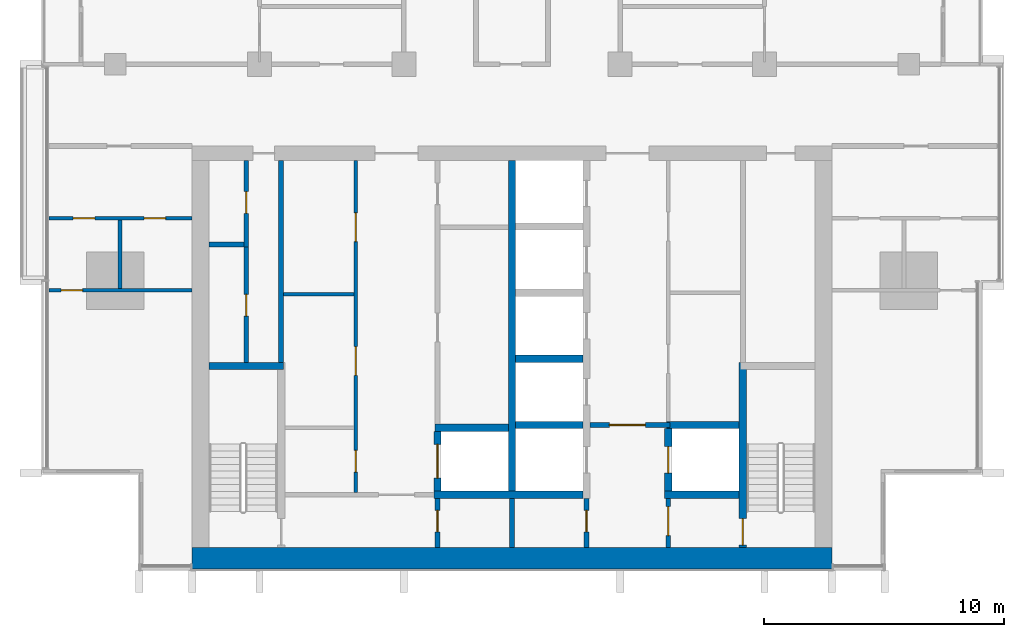
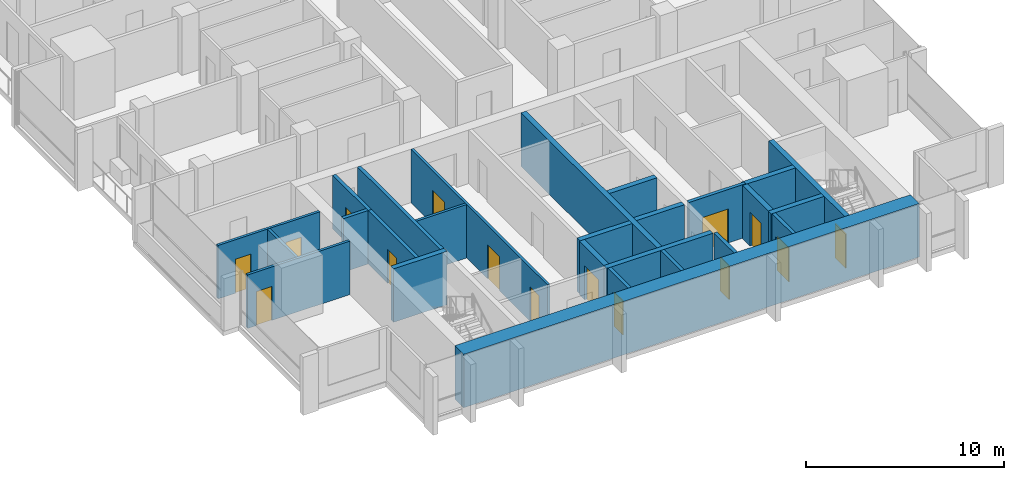
# One storey, part 7 of 17: 26 walls, 15 doors, 15 openings.
"""IFC4 building model written with IfcOpenShell, lengths in metres."""

from ifc_helpers import new_model, si_unit, direction, frame, frame_2d, origin, place, context, subcontext, project, spatial, rectangle, extrude, material, layer, layer_set, type_object, element, fill, save


model = new_model("IFC4")

# Units and contexts
model_context = context("Model", 3, precision=1e-05, world=origin(), true_north=direction((0.0, 1.0)))
body_context = subcontext(model_context, "Body", "Model", "MODEL_VIEW")
ifc_project = project(units=[si_unit("LENGTHUNIT", "METRE"), si_unit("AREAUNIT", "SQUARE_METRE"), si_unit("VOLUMEUNIT", "CUBIC_METRE"), si_unit("PLANEANGLEUNIT", "RADIAN"), si_unit("MASSUNIT", "GRAM", prefix="KILO")], contexts=[model_context])

# Site, building, storey
site_placement = place(None, origin())
site = spatial("IfcSite", under=ifc_project, at=site_placement, CompositionType="ELEMENT")
building_placement = place(site_placement, origin())
building = spatial("IfcBuilding", under=site, at=building_placement, Name="Finial Court Residences", CompositionType="ELEMENT")
storey_placement = place(building_placement, frame((0.0, 0.0, 167.300048828125)))
storey = spatial("IfcBuildingStorey", under=building, at=storey_placement, Name="L41", CompositionType="ELEMENT", Elevation=167.300048828125)

# Wall
ifc_material_1 = material(Name="Fire-rated gypsum board partition")
ifc_layer_1 = layer(ifc_material_1, 0.14990234375)
ifc_layer_set_1 = layer_set([ifc_layer_1], Name="Core room partition 150 EI 60")
wall_type_1 = type_object("IfcWallType", Name="Core room partition 150 EI 60", PredefinedType="PARTITIONING", material=ifc_layer_set_1)
wall_1_placement = place(storey_placement, frame((-9.5, -14.06005859375, 0.0), z_axis=(0.0, 0.0, 1.0), x_axis=(1.0, 0.0, 0.0)))
element("IfcWall", 1, at=wall_1_placement, inside=storey, type_object=wall_type_1, Name="Core partition L41-12", PredefinedType="PARTITIONING", context=body_context, shape_type="SweptSolid", body=[
    extrude(rectangle(XDim=2.925048828125, YDim=0.14990234375, at=frame_2d((1.46240234375, 0.0))), origin(), (0.0, 0.0, 1.0), 3.300048828125),
])

# Wall, openings, doors
wall_2_placement = place(storey_placement, frame((-6.5, -22.300048828125, 0.0), z_axis=(0.0, 0.0, 1.0), x_axis=(0.0, 1.0, 0.0)))
wall_2 = element("IfcWall", 2, at=wall_2_placement, inside=storey, type_object=wall_type_1, Name="Core partition L41-22", PredefinedType="PARTITIONING", context=body_context, shape_type="SweptSolid", body=[
    extrude(rectangle(XDim=13.800048828125, YDim=0.14990234375, at=frame_2d((6.89990234375, 0.0))), origin(), (0.0, 0.0, 1.0), 3.300048828125),
])
opening_1_placement = place(wall_2_placement, frame((0.840087890625, 0.0, 0.0)))
opening_1 = element("IfcOpeningElement", 3, at=opening_1_placement, cuts=wall_2, Name="Opening L41-C14", PredefinedType="OPENING", context=body_context, shape_type="SweptSolid", body=[
    extrude(rectangle(XDim=0.89990234375, YDim=2.10009765625, at=frame_2d((0.449951171875, 1.050048828125))), frame((0.0, 0.0849609375, 0.0), z_axis=(0.0, -1.0, 0.0), x_axis=(1.0, 0.0, 0.0)), (0.0, 0.0, 1.0), 0.169921875),
])
opening_2_placement = place(wall_2_placement, frame((4.860107421875, 0.0, 0.0)))
opening_2 = element("IfcOpeningElement", 4, at=opening_2_placement, cuts=wall_2, Name="Opening L41-C15", PredefinedType="OPENING", context=body_context, shape_type="SweptSolid", body=[
    extrude(rectangle(XDim=1.199951171875, YDim=2.10009765625, at=frame_2d((0.60009765625, 1.050048828125))), frame((0.0, 0.0849609375, 0.0), z_axis=(0.0, -1.0, 0.0), x_axis=(1.0, 0.0, 0.0)), (0.0, 0.0, 1.0), 0.169921875),
])
opening_3_placement = place(wall_2_placement, frame((10.419921875, 0.0, 0.0)))
opening_3 = element("IfcOpeningElement", 5, at=opening_3_placement, cuts=wall_2, Name="Opening L41-C16", PredefinedType="OPENING", context=body_context, shape_type="SweptSolid", body=[
    extrude(rectangle(XDim=1.199951171875, YDim=2.10009765625, at=frame_2d((0.60009765625, 1.050048828125))), frame((0.0, 0.0849609375, 0.0), z_axis=(0.0, -1.0, 0.0), x_axis=(1.0, 0.0, 0.0)), (0.0, 0.0, 1.0), 0.169921875),
])
ifc_material_2 = material(Name="Steel fire door", Category="steel")
door_type_1 = type_object("IfcDoorType", Name="Core room door 1200 x 2100 EI 60", OperationType="NOTDEFINED", PredefinedType="DOOR", material=ifc_material_2)
door_1_placement = place(opening_2_placement, origin())
door_1 = element("IfcDoor", 6, at=door_1_placement, inside=storey, type_object=door_type_1, Name="Core room door L41-C15", OperationType="SINGLE_SWING_RIGHT", OverallHeight=2.10009765625, OverallWidth=1.199951171875, PredefinedType="DOOR", context=body_context, shape_type="SweptSolid", body=[
    extrude(rectangle(XDim=1.199951171875, YDim=2.10009765625, at=frame_2d((0.60009765625, 1.050048828125))), frame((0.0, 0.02490234375, 0.0), z_axis=(0.0, -1.0, 0.0), x_axis=(1.0, 0.0, 0.0)), (0.0, 0.0, 1.0), 0.050048828125),
])
fill(opening_2, door_1)
door_2_placement = place(opening_3_placement, origin())
door_2 = element("IfcDoor", 7, at=door_2_placement, inside=storey, type_object=door_type_1, Name="Core room door L41-C16", OperationType="SINGLE_SWING_RIGHT", OverallHeight=2.10009765625, OverallWidth=1.199951171875, PredefinedType="DOOR", context=body_context, shape_type="SweptSolid", body=[
    extrude(rectangle(XDim=1.199951171875, YDim=2.10009765625, at=frame_2d((0.60009765625, 1.050048828125))), frame((0.0, 0.02490234375, 0.0), z_axis=(0.0, -1.0, 0.0), x_axis=(1.0, 0.0, 0.0)), (0.0, 0.0, 1.0), 0.050048828125),
])
fill(opening_3, door_2)
door_type_2 = type_object("IfcDoorType", Name="Core room door 900 x 2100 EI 60", OperationType="NOTDEFINED", PredefinedType="DOOR", material=ifc_material_2)
door_3_placement = place(opening_1_placement, origin())
door_3 = element("IfcDoor", 8, at=door_3_placement, inside=storey, type_object=door_type_2, Name="Core room door L41-C14", OperationType="SINGLE_SWING_LEFT", OverallHeight=2.10009765625, OverallWidth=0.89990234375, PredefinedType="DOOR", context=body_context, shape_type="SweptSolid", body=[
    extrude(rectangle(XDim=0.89990234375, YDim=2.10009765625, at=frame_2d((0.449951171875, 1.050048828125))), frame((0.0, 0.02490234375, 0.0), z_axis=(0.0, -1.0, 0.0), x_axis=(1.0, 0.0, 0.0)), (0.0, 0.0, 1.0), 0.050048828125),
])
fill(opening_1, door_3)

# Wall
ifc_material_3 = material(Name="Concrete C70/85", Category="concrete")
ifc_layer_2 = layer(ifc_material_3, 0.89990234375)
ifc_layer_set_2 = layer_set([ifc_layer_2], Name="Core south facade wall 900 Concrete C70/85")
wall_type_2 = type_object("IfcWallType", Name="Core south facade wall 900 Concrete C70/85", PredefinedType="SHEAR", material=ifc_layer_set_2)
wall_3_placement = place(storey_placement, frame((-13.300048828125, -25.050048828125, 0.0), z_axis=(0.0, 0.0, 1.0), x_axis=(1.0, 0.0, 0.0)))
element("IfcWall", 9, at=wall_3_placement, inside=storey, type_object=wall_type_2, Name="Core outer wall L41-01", PredefinedType="SHEAR", context=body_context, shape_type="SweptSolid", body=[
    extrude(rectangle(XDim=26.60009765625, YDim=0.89990234375, at=frame_2d((13.300048828125, 0.0))), origin(), (0.0, 0.0, 1.0), 3.300048828125),
])

# Wall, opening, door
ifc_layer_3 = layer(ifc_material_1, 0.199951171875)
ifc_layer_set_3 = layer_set([ifc_layer_3], Name="Firefighting lobby wall 200 EI 120")
wall_type_3 = type_object("IfcWallType", Name="Firefighting lobby wall 200 EI 120", PredefinedType="PARTITIONING", material=ifc_layer_set_3)
wall_4_placement = place(storey_placement, frame((6.574951171875, -19.5, 0.0), z_axis=(0.0, 0.0, 1.0), x_axis=(-1.0, 0.0, 0.0)))
wall_4 = element("IfcWall", 10, at=wall_4_placement, inside=storey, type_object=wall_type_3, Name="Core partition L41-07", PredefinedType="PARTITIONING", context=body_context, shape_type="SweptSolid", body=[
    extrude(rectangle(XDim=3.324951171875, YDim=0.199951171875, at=frame_2d((1.66259765625, 0.0))), origin(), (0.0, 0.0, 1.0), 3.300048828125),
])
opening_4_placement = place(wall_4_placement, frame((1.02490234375, 0.0, 0.0)))
opening_4 = element("IfcOpeningElement", 11, at=opening_4_placement, cuts=wall_4, Name="Opening L41-C02", PredefinedType="OPENING", context=body_context, shape_type="SweptSolid", body=[
    extrude(rectangle(XDim=1.5, YDim=2.10009765625, at=frame_2d((0.75, 1.050048828125))), frame((0.0, 0.10986328125, 0.0), z_axis=(0.0, -1.0, 0.0), x_axis=(1.0, 0.0, 0.0)), (0.0, 0.0, 1.0), 0.219970703125),
])
door_type_3 = type_object("IfcDoorType", Name="Firefighting lobby door 1500 x 2100 EI 90", OperationType="DOUBLE_DOOR_SINGLE_SWING", PredefinedType="DOOR", material=ifc_material_2)
door_4_placement = place(opening_4_placement, origin())
door_4 = element("IfcDoor", 12, at=door_4_placement, inside=storey, type_object=door_type_3, Name="Firefighting lobby door L41-C02", OperationType="DOUBLE_DOOR_SINGLE_SWING", OverallHeight=2.10009765625, OverallWidth=1.5, PredefinedType="DOOR", context=body_context, shape_type="SweptSolid", body=[
    extrude(rectangle(XDim=1.5, YDim=2.10009765625, at=frame_2d((0.75, 1.050048828125))), frame((0.0, 0.02490234375, 0.0), z_axis=(0.0, -1.0, 0.0), x_axis=(1.0, 0.0, 0.0)), (0.0, 0.0, 1.0), 0.050048828125),
])
fill(opening_4, door_4)

wall_5_placement = place(storey_placement, frame((3.10009765625, -24.60009765625, 0.0), z_axis=(0.0, 0.0, 1.0), x_axis=(0.0, 1.0, 0.0)))
wall_5 = element("IfcWall", 13, at=wall_5_placement, inside=storey, type_object=wall_type_3, Name="Core partition L41-28", PredefinedType="PARTITIONING", context=body_context, shape_type="SweptSolid", body=[
    extrude(rectangle(XDim=2.050048828125, YDim=0.199951171875, at=frame_2d((1.02490234375, 0.0))), origin(), (0.0, 0.0, 1.0), 3.300048828125),
])
opening_5_placement = place(wall_5_placement, frame((0.64990234375, 0.0, 0.0)))
opening_5 = element("IfcOpeningElement", 14, at=opening_5_placement, cuts=wall_5, Name="Opening L41-C06", PredefinedType="OPENING", context=body_context, shape_type="SweptSolid", body=[
    extrude(rectangle(XDim=0.89990234375, YDim=2.10009765625, at=frame_2d((0.449951171875, 1.050048828125))), frame((0.0, 0.10986328125, 0.0), z_axis=(0.0, -1.0, 0.0), x_axis=(1.0, 0.0, 0.0)), (0.0, 0.0, 1.0), 0.219970703125),
])
door_type_4 = type_object("IfcDoorType", Name="Riser room door 900 x 2100 EI 90", OperationType="NOTDEFINED", PredefinedType="DOOR", material=ifc_material_2)
door_5_placement = place(opening_5_placement, origin())
door_5 = element("IfcDoor", 15, at=door_5_placement, inside=storey, type_object=door_type_4, Name="Riser room door L41-C06", OperationType="SINGLE_SWING_LEFT", OverallHeight=2.10009765625, OverallWidth=0.89990234375, PredefinedType="DOOR", context=body_context, shape_type="SweptSolid", body=[
    extrude(rectangle(XDim=0.89990234375, YDim=2.10009765625, at=frame_2d((0.449951171875, 1.050048828125))), frame((0.0, 0.02490234375, 0.0), z_axis=(0.0, -1.0, 0.0), x_axis=(1.0, 0.0, 0.0)), (0.0, 0.0, 1.0), 0.050048828125),
])
fill(opening_5, door_5)

wall_6_placement = place(storey_placement, frame((6.5, -22.550048828125, 0.0), z_axis=(0.0, 0.0, 1.0), x_axis=(0.0, -1.0, 0.0)))
wall_6 = element("IfcWall", 16, at=wall_6_placement, inside=storey, type_object=wall_type_3, Name="Core partition L41-30", PredefinedType="PARTITIONING", context=body_context, shape_type="SweptSolid", body=[
    extrude(rectangle(XDim=2.050048828125, YDim=0.199951171875, at=frame_2d((1.02490234375, 0.0))), origin(), (0.0, 0.0, 1.0), 3.300048828125),
])
opening_6_placement = place(wall_6_placement, frame((0.35009765625, 0.0, 0.0)))
opening_6 = element("IfcOpeningElement", 17, at=opening_6_placement, cuts=wall_6, Name="Opening L41-C01", PredefinedType="OPENING", context=body_context, shape_type="SweptSolid", body=[
    extrude(rectangle(XDim=1.199951171875, YDim=2.10009765625, at=frame_2d((0.60009765625, 1.050048828125))), frame((0.0, 0.10986328125, 0.0), z_axis=(0.0, -1.0, 0.0), x_axis=(1.0, 0.0, 0.0)), (0.0, 0.0, 1.0), 0.219970703125),
])
door_type_5 = type_object("IfcDoorType", Name="Firefighting lobby door 1200 x 2100 EI 90", OperationType="NOTDEFINED", PredefinedType="DOOR", material=ifc_material_2)
door_6_placement = place(opening_6_placement, origin())
door_6 = element("IfcDoor", 18, at=door_6_placement, inside=storey, type_object=door_type_5, Name="Firefighting lobby door L41-C01", OperationType="SINGLE_SWING_RIGHT", OverallHeight=2.10009765625, OverallWidth=1.199951171875, PredefinedType="DOOR", context=body_context, shape_type="SweptSolid", body=[
    extrude(rectangle(XDim=1.199951171875, YDim=2.10009765625, at=frame_2d((0.60009765625, 1.050048828125))), frame((0.0, 0.02490234375, 0.0), z_axis=(0.0, -1.0, 0.0), x_axis=(1.0, 0.0, 0.0)), (0.0, 0.0, 1.0), 0.050048828125),
])
fill(opening_6, door_6)

ifc_material_4 = material(Name="Moisture-resistant gypsum board")
ifc_layer_4 = layer(ifc_material_4, 0.012451171875)
ifc_material_5 = material(Name="Mineral wool in light-gauge frame")
ifc_layer_5 = layer(ifc_material_5, 0.125)
ifc_layer_6 = layer(ifc_material_4, 0.012451171875)
ifc_layer_set_4 = layer_set([ifc_layer_4, ifc_layer_5, ifc_layer_6], Name="Gypsum board wet-area partition 150")
wall_type_4 = type_object("IfcWallType", Name="Gypsum board wet-area partition 150", PredefinedType="PARTITIONING", material=ifc_layer_set_4)
wall_7_placement = place(storey_placement, frame((-19.262451171875, -13.89990234375, 0.0), z_axis=(0.0, 0.0, 1.0), x_axis=(1.0, 0.0, 0.0)))
wall_7 = element("IfcWall", 19, at=wall_7_placement, inside=storey, type_object=wall_type_4, Name="Partition L41-000", PredefinedType="PARTITIONING", context=body_context, shape_type="SweptSolid", body=[
    extrude(rectangle(XDim=5.96240234375, YDim=0.14990234375, at=frame_2d((2.981201171875, 0.0))), origin(), (0.0, 0.0, 1.0), 3.300048828125),
])
opening_7_placement = place(wall_7_placement, frame((0.511962890625, 0.0, 0.0)))
opening_7 = element("IfcOpeningElement", 20, at=opening_7_placement, cuts=wall_7, Name="Opening L41-D001", PredefinedType="OPENING", context=body_context, shape_type="SweptSolid", body=[
    extrude(rectangle(XDim=0.89990234375, YDim=2.10009765625, at=frame_2d((0.449951171875, 1.050048828125))), frame((0.0, 0.0849609375, 0.0), z_axis=(0.0, -1.0, 0.0), x_axis=(1.0, 0.0, 0.0)), (0.0, 0.0, 1.0), 0.169921875),
])
ifc_material_6 = material(Name="Timber door leaf in timber frame", Category="wood")
door_type_6 = type_object("IfcDoorType", Name="Door set 900 x 2100", OperationType="SINGLE_SWING_LEFT", PredefinedType="DOOR", material=ifc_material_6)
door_7_placement = place(opening_7_placement, origin())
door_7 = element("IfcDoor", 21, at=door_7_placement, inside=storey, type_object=door_type_6, Name="Door L41-D001", OperationType="SINGLE_SWING_LEFT", OverallHeight=2.10009765625, OverallWidth=0.89990234375, PredefinedType="DOOR", context=body_context, shape_type="SweptSolid", body=[
    extrude(rectangle(XDim=0.89990234375, YDim=2.10009765625, at=frame_2d((0.449951171875, 1.050048828125))), frame((0.0, 0.02490234375, 0.0), z_axis=(0.0, -1.0, 0.0), x_axis=(1.0, 0.0, 0.0)), (0.0, 0.0, 1.0), 0.050048828125),
])
fill(opening_7, door_7)

# Wall, openings, doors
wall_8_placement = place(storey_placement, frame((-19.262451171875, -10.89990234375, 0.0), z_axis=(0.0, 0.0, 1.0), x_axis=(1.0, 0.0, 0.0)))
wall_8 = element("IfcWall", 22, at=wall_8_placement, inside=storey, type_object=wall_type_4, Name="Partition L41-002", PredefinedType="PARTITIONING", context=body_context, shape_type="SweptSolid", body=[
    extrude(rectangle(XDim=5.96240234375, YDim=0.14990234375, at=frame_2d((2.981201171875, 0.0))), origin(), (0.0, 0.0, 1.0), 3.300048828125),
])
opening_8_placement = place(wall_8_placement, frame((1.011962890625, 0.0, 0.0)))
opening_8 = element("IfcOpeningElement", 23, at=opening_8_placement, cuts=wall_8, Name="Opening L41-D003", PredefinedType="OPENING", context=body_context, shape_type="SweptSolid", body=[
    extrude(rectangle(XDim=0.89990234375, YDim=2.10009765625, at=frame_2d((0.449951171875, 1.050048828125))), frame((0.0, 0.0849609375, 0.0), z_axis=(0.0, -1.0, 0.0), x_axis=(1.0, 0.0, 0.0)), (0.0, 0.0, 1.0), 0.169921875),
])
opening_9_placement = place(wall_8_placement, frame((3.962890625, 0.0, 0.0)))
opening_9 = element("IfcOpeningElement", 24, at=opening_9_placement, cuts=wall_8, Name="Opening L41-D004", PredefinedType="OPENING", context=body_context, shape_type="SweptSolid", body=[
    extrude(rectangle(XDim=0.89990234375, YDim=2.10009765625, at=frame_2d((0.449951171875, 1.050048828125))), frame((0.0, 0.0849609375, 0.0), z_axis=(0.0, -1.0, 0.0), x_axis=(1.0, 0.0, 0.0)), (0.0, 0.0, 1.0), 0.169921875),
])
door_8_placement = place(opening_8_placement, origin())
door_8 = element("IfcDoor", 25, at=door_8_placement, inside=storey, type_object=door_type_6, Name="Door L41-D003", OperationType="SINGLE_SWING_LEFT", OverallHeight=2.10009765625, OverallWidth=0.89990234375, PredefinedType="DOOR", context=body_context, shape_type="SweptSolid", body=[
    extrude(rectangle(XDim=0.89990234375, YDim=2.10009765625, at=frame_2d((0.449951171875, 1.050048828125))), frame((0.0, 0.02490234375, 0.0), z_axis=(0.0, -1.0, 0.0), x_axis=(1.0, 0.0, 0.0)), (0.0, 0.0, 1.0), 0.050048828125),
])
fill(opening_8, door_8)
door_9_placement = place(opening_9_placement, origin())
door_9 = element("IfcDoor", 26, at=door_9_placement, inside=storey, type_object=door_type_6, Name="Door L41-D004", OperationType="SINGLE_SWING_RIGHT", OverallHeight=2.10009765625, OverallWidth=0.89990234375, PredefinedType="DOOR", context=body_context, shape_type="SweptSolid", body=[
    extrude(rectangle(XDim=0.89990234375, YDim=2.10009765625, at=frame_2d((0.449951171875, 1.050048828125))), frame((0.0, 0.02490234375, 0.0), z_axis=(0.0, -1.0, 0.0), x_axis=(1.0, 0.0, 0.0)), (0.0, 0.0, 1.0), 0.050048828125),
])
fill(opening_9, door_9)

# Walls
wall_9_placement = place(storey_placement, frame((-16.300048828125, -13.824951171875, 0.0), z_axis=(0.0, 0.0, 1.0), x_axis=(0.0, 1.0, 0.0)))
element("IfcWall", 27, at=wall_9_placement, inside=storey, type_object=wall_type_4, Name="Partition L41-034", PredefinedType="PARTITIONING", context=body_context, shape_type="SweptSolid", body=[
    extrude(rectangle(XDim=2.849853515625, YDim=0.14990234375, at=frame_2d((1.4248046875, 0.0))), origin(), (0.0, 0.0, 1.0), 3.300048828125),
])
ifc_layer_7 = layer(ifc_material_3, 0.300048828125)
ifc_layer_set_5 = layer_set([ifc_layer_7], Name="Lift shaft and stair wall 300 Concrete C70/85")
wall_type_5 = type_object("IfcWallType", Name="Lift shaft and stair wall 300 Concrete C70/85", PredefinedType="SHEAR", material=ifc_layer_set_5)
wall_10_placement = place(storey_placement, frame((-3.25, -22.39990234375, 0.0), z_axis=(0.0, 0.0, 1.0), x_axis=(1.0, 0.0, 0.0)))
element("IfcWall", 28, at=wall_10_placement, inside=storey, type_object=wall_type_5, Name="Core wall L41-02", PredefinedType="SHEAR", context=body_context, shape_type="SweptSolid", body=[
    extrude(rectangle(XDim=6.199951171875, YDim=0.300048828125, at=frame_2d((3.10009765625, 0.0))), origin(), (0.0, 0.0, 1.0), 3.300048828125),
])
wall_11_placement = place(storey_placement, frame((6.35009765625, -22.39990234375, 0.0), z_axis=(0.0, 0.0, 1.0), x_axis=(1.0, 0.0, 0.0)))
element("IfcWall", 29, at=wall_11_placement, inside=storey, type_object=wall_type_5, Name="Core wall L41-03", PredefinedType="SHEAR", context=body_context, shape_type="SweptSolid", body=[
    extrude(rectangle(XDim=3.099853515625, YDim=0.300048828125, at=frame_2d((1.5498046875, 0.0))), origin(), (0.0, 0.0, 1.0), 3.300048828125),
])
wall_12_placement = place(storey_placement, frame((-3.199951171875, -19.6201171875, 0.0), z_axis=(0.0, 0.0, 1.0), x_axis=(1.0, 0.0, 0.0)))
element("IfcWall", 30, at=wall_12_placement, inside=storey, type_object=wall_type_5, Name="Core wall L41-05", PredefinedType="SHEAR", context=body_context, shape_type="SweptSolid", body=[
    extrude(rectangle(XDim=3.050048828125, YDim=0.300048828125, at=frame_2d((1.52490234375, 0.0))), origin(), (0.0, 0.0, 1.0), 3.300048828125),
])
wall_13_placement = place(storey_placement, frame((0.14990234375, -19.5, 0.0), z_axis=(0.0, 0.0, 1.0), x_axis=(1.0, 0.0, 0.0)))
element("IfcWall", 31, at=wall_13_placement, inside=storey, type_object=wall_type_5, Name="Core wall L41-06", PredefinedType="SHEAR", context=body_context, shape_type="SweptSolid", body=[
    extrude(rectangle(XDim=2.800048828125, YDim=0.300048828125, at=frame_2d((1.39990234375, 0.0))), origin(), (0.0, 0.0, 1.0), 3.300048828125),
])
wall_14_placement = place(storey_placement, frame((6.425048828125, -19.5, 0.0), z_axis=(0.0, 0.0, 1.0), x_axis=(1.0, 0.0, 0.0)))
element("IfcWall", 32, at=wall_14_placement, inside=storey, type_object=wall_type_5, Name="Core wall L41-08", PredefinedType="SHEAR", context=body_context, shape_type="SweptSolid", body=[
    extrude(rectangle(XDim=3.02490234375, YDim=0.300048828125, at=frame_2d((1.512451171875, 0.0))), origin(), (0.0, 0.0, 1.0), 3.300048828125),
])
wall_15_placement = place(storey_placement, frame((-12.60009765625, -17.050048828125, 0.0), z_axis=(0.0, 0.0, 1.0), x_axis=(1.0, 0.0, 0.0)))
element("IfcWall", 33, at=wall_15_placement, inside=storey, type_object=wall_type_5, Name="Core wall L41-09", PredefinedType="SHEAR", context=body_context, shape_type="SweptSolid", body=[
    extrude(rectangle(XDim=3.10009765625, YDim=0.300048828125, at=frame_2d((1.550048828125, 0.0))), origin(), (0.0, 0.0, 1.0), 3.300048828125),
])
wall_16_placement = place(storey_placement, frame((0.14990234375, -16.75, 0.0), z_axis=(0.0, 0.0, 1.0), x_axis=(1.0, 0.0, 0.0)))
element("IfcWall", 34, at=wall_16_placement, inside=storey, type_object=wall_type_5, Name="Core wall L41-11", PredefinedType="SHEAR", context=body_context, shape_type="SweptSolid", body=[
    extrude(rectangle(XDim=2.800048828125, YDim=0.300048828125, at=frame_2d((1.39990234375, 0.0))), origin(), (0.0, 0.0, 1.0), 3.300048828125),
])

# Wall, opening, door
wall_17_placement = place(storey_placement, frame((-3.10009765625, -22.25, 0.0), z_axis=(0.0, 0.0, 1.0), x_axis=(0.0, 1.0, 0.0)))
wall_17 = element("IfcWall", 35, at=wall_17_placement, inside=storey, type_object=wall_type_5, Name="Core wall L41-24", PredefinedType="SHEAR", context=body_context, shape_type="SweptSolid", body=[
    extrude(rectangle(XDim=2.47998046875, YDim=0.300048828125, at=frame_2d((1.239990234375, 0.0))), origin(), (0.0, 0.0, 1.0), 3.300048828125),
])
opening_10_placement = place(wall_17_placement, frame((0.5400390625, 0.0, 0.0)))
opening_10 = element("IfcOpeningElement", 36, at=opening_10_placement, cuts=wall_17, Name="Opening L41-LD07", PredefinedType="OPENING", context=body_context, shape_type="SweptSolid", body=[
    extrude(rectangle(XDim=1.39990234375, YDim=2.10009765625, at=frame_2d((0.699951171875, 1.050048828125))), frame((0.0, 0.159912109375, 0.0), z_axis=(0.0, -1.0, 0.0), x_axis=(1.0, 0.0, 0.0)), (0.0, 0.0, 1.0), 0.320068359375),
])
ifc_material_7 = material(Name="Stainless steel lift door", Category="steel")
door_type_7 = type_object("IfcDoorType", Name="Lift landing door 1400 x 2100 EI 90", OperationType="DOUBLE_DOOR_SLIDING", PredefinedType="DOOR", material=ifc_material_7)
door_10_placement = place(opening_10_placement, origin())
door_10 = element("IfcDoor", 37, at=door_10_placement, inside=storey, type_object=door_type_7, Name="Lift landing door SV1 L41", OperationType="DOUBLE_DOOR_SLIDING", OverallHeight=2.10009765625, OverallWidth=1.39990234375, PredefinedType="DOOR", context=body_context, shape_type="SweptSolid", body=[
    extrude(rectangle(XDim=1.39990234375, YDim=2.10009765625, at=frame_2d((0.699951171875, 1.050048828125))), frame((0.0, 0.02490234375, 0.0), z_axis=(0.0, -1.0, 0.0), x_axis=(1.0, 0.0, 0.0)), (0.0, 0.0, 1.0), 0.050048828125),
])
fill(opening_10, door_10)

# Wall
wall_18_placement = place(storey_placement, frame((0.0, -22.25, 0.0), z_axis=(0.0, 0.0, 1.0), x_axis=(0.0, 1.0, 0.0)))
element("IfcWall", 38, at=wall_18_placement, inside=storey, type_object=wall_type_5, Name="Core wall L41-27", PredefinedType="SHEAR", context=body_context, shape_type="SweptSolid", body=[
    extrude(rectangle(XDim=13.75, YDim=0.300048828125, at=frame_2d((6.875, 0.0))), origin(), (0.0, 0.0, 1.0), 3.300048828125),
])

# Wall, opening, door
wall_19_placement = place(storey_placement, frame((6.5, -22.25, 0.0), z_axis=(0.0, 0.0, 1.0), x_axis=(0.0, 1.0, 0.0)))
wall_19 = element("IfcWall", 39, at=wall_19_placement, inside=storey, type_object=wall_type_5, Name="Core wall L41-31", PredefinedType="SHEAR", context=body_context, shape_type="SweptSolid", body=[
    extrude(rectangle(XDim=2.60009765625, YDim=0.300048828125, at=frame_2d((1.300048828125, 0.0))), origin(), (0.0, 0.0, 1.0), 3.300048828125),
])
opening_11_placement = place(wall_19_placement, frame((0.75, 0.0, 0.0)))
opening_11 = element("IfcOpeningElement", 40, at=opening_11_placement, cuts=wall_19, Name="Opening L41-LD02", PredefinedType="OPENING", context=body_context, shape_type="SweptSolid", body=[
    extrude(rectangle(XDim=1.10009765625, YDim=2.10009765625, at=frame_2d((0.550048828125, 1.050048828125))), frame((0.0, 0.159912109375, 0.0), z_axis=(0.0, -1.0, 0.0), x_axis=(1.0, 0.0, 0.0)), (0.0, 0.0, 1.0), 0.320068359375),
])
door_type_8 = type_object("IfcDoorType", Name="Lift landing door 1100 x 2100 EI 90", OperationType="DOUBLE_DOOR_SLIDING", PredefinedType="DOOR", material=ifc_material_7)
door_11_placement = place(opening_11_placement, origin())
door_11 = element("IfcDoor", 41, at=door_11_placement, inside=storey, type_object=door_type_8, Name="Lift landing door FF2 L41", OperationType="DOUBLE_DOOR_SLIDING", OverallHeight=2.10009765625, OverallWidth=1.10009765625, PredefinedType="DOOR", context=body_context, shape_type="SweptSolid", body=[
    extrude(rectangle(XDim=1.10009765625, YDim=2.10009765625, at=frame_2d((0.550048828125, 1.050048828125))), frame((0.0, 0.02490234375, 0.0), z_axis=(0.0, -1.0, 0.0), x_axis=(1.0, 0.0, 0.0)), (0.0, 0.0, 1.0), 0.050048828125),
])
fill(opening_11, door_11)

wall_20_placement = place(storey_placement, frame((9.60009765625, -16.89990234375, 0.0), z_axis=(0.0, 0.0, 1.0), x_axis=(0.0, -1.0, 0.0)))
wall_20 = element("IfcWall", 42, at=wall_20_placement, inside=storey, type_object=wall_type_5, Name="Core wall L41-33", PredefinedType="SHEAR", context=body_context, shape_type="SweptSolid", body=[
    extrude(rectangle(XDim=7.7001953125, YDim=0.300048828125, at=frame_2d((3.85009765625, 0.0))), origin(), (0.0, 0.0, 1.0), 3.300048828125),
])
opening_12_placement = place(wall_20_placement, frame((6.5, 0.0, 0.0)))
opening_12 = element("IfcOpeningElement", 43, at=opening_12_placement, cuts=wall_20, Name="Opening L41-C20", PredefinedType="OPENING", context=body_context, shape_type="SweptSolid", body=[
    extrude(rectangle(XDim=1.10009765625, YDim=2.10009765625, at=frame_2d((0.550048828125, 1.050048828125))), frame((0.0, 0.159912109375, 0.0), z_axis=(0.0, -1.0, 0.0), x_axis=(1.0, 0.0, 0.0)), (0.0, 0.0, 1.0), 0.320068359375),
])
door_type_9 = type_object("IfcDoorType", Name="Stair door 1100 x 2100 EI 90", OperationType="NOTDEFINED", PredefinedType="DOOR", material=ifc_material_2)
door_12_placement = place(opening_12_placement, origin())
door_12 = element("IfcDoor", 44, at=door_12_placement, inside=storey, type_object=door_type_9, Name="Stair door L41-C20", OperationType="SINGLE_SWING_RIGHT", OverallHeight=2.10009765625, OverallWidth=1.10009765625, PredefinedType="DOOR", context=body_context, shape_type="SweptSolid", body=[
    extrude(rectangle(XDim=1.10009765625, YDim=2.10009765625, at=frame_2d((0.550048828125, 1.050048828125))), frame((0.0, 0.02490234375, 0.0), z_axis=(0.0, -1.0, 0.0), x_axis=(1.0, 0.0, 0.0)), (0.0, 0.0, 1.0), 0.050048828125),
])
fill(opening_12, door_12)

# Wall
ifc_layer_8 = layer(ifc_material_1, 0.199951171875)
ifc_layer_set_6 = layer_set([ifc_layer_8], Name="Riser room wall 200 EI 120")
wall_type_6 = type_object("IfcWallType", Name="Riser room wall 200 EI 120", PredefinedType="PARTITIONING", material=ifc_layer_set_6)
wall_21_placement = place(storey_placement, frame((-12.60009765625, -12.0, 0.0), z_axis=(0.0, 0.0, 1.0), x_axis=(1.0, 0.0, 0.0)))
element("IfcWall", 45, at=wall_21_placement, inside=storey, type_object=wall_type_6, Name="Core partition L41-15", PredefinedType="PARTITIONING", context=body_context, shape_type="SweptSolid", body=[
    extrude(rectangle(XDim=1.4501953125, YDim=0.199951171875, at=frame_2d((0.72509765625, 0.0))), origin(), (0.0, 0.0, 1.0), 3.300048828125),
])

# Wall, opening, door
wall_22_placement = place(storey_placement, frame((-11.050048828125, -12.10009765625, 0.0), z_axis=(0.0, 0.0, 1.0), x_axis=(0.0, 1.0, 0.0)))
wall_22 = element("IfcWall", 46, at=wall_22_placement, inside=storey, type_object=wall_type_6, Name="Core partition L41-19", PredefinedType="PARTITIONING", context=body_context, shape_type="SweptSolid", body=[
    extrude(rectangle(XDim=3.60009765625, YDim=0.199951171875, at=frame_2d((1.800048828125, 0.0))), origin(), (0.0, 0.0, 1.0), 3.300048828125),
])
opening_13_placement = place(wall_22_placement, frame((1.39990234375, 0.0, 0.0)))
opening_13 = element("IfcOpeningElement", 47, at=opening_13_placement, cuts=wall_22, Name="Opening L41-C07", PredefinedType="OPENING", context=body_context, shape_type="SweptSolid", body=[
    extrude(rectangle(XDim=0.89990234375, YDim=2.10009765625, at=frame_2d((0.449951171875, 1.050048828125))), frame((0.0, 0.10986328125, 0.0), z_axis=(0.0, -1.0, 0.0), x_axis=(1.0, 0.0, 0.0)), (0.0, 0.0, 1.0), 0.219970703125),
])
door_13_placement = place(opening_13_placement, origin())
door_13 = element("IfcDoor", 48, at=door_13_placement, inside=storey, type_object=door_type_4, Name="Riser room door L41-C07", OperationType="SINGLE_SWING_LEFT", OverallHeight=2.10009765625, OverallWidth=0.89990234375, PredefinedType="DOOR", context=body_context, shape_type="SweptSolid", body=[
    extrude(rectangle(XDim=0.89990234375, YDim=2.10009765625, at=frame_2d((0.449951171875, 1.050048828125))), frame((0.0, 0.02490234375, 0.0), z_axis=(0.0, -1.0, 0.0), x_axis=(1.0, 0.0, 0.0)), (0.0, 0.0, 1.0), 0.050048828125),
])
fill(opening_13, door_13)

# Wall
wall_23_placement = place(storey_placement, frame((0.0, -24.60009765625, 0.0), z_axis=(0.0, 0.0, 1.0), x_axis=(0.0, 1.0, 0.0)))
element("IfcWall", 49, at=wall_23_placement, inside=storey, type_object=wall_type_6, Name="Core partition L41-26", PredefinedType="PARTITIONING", context=body_context, shape_type="SweptSolid", body=[
    extrude(rectangle(XDim=2.050048828125, YDim=0.199951171875, at=frame_2d((1.02490234375, 0.0))), origin(), (0.0, 0.0, 1.0), 3.300048828125),
])

# Wall, opening, door
ifc_layer_9 = layer(ifc_material_1, 0.199951171875)
ifc_layer_set_7 = layer_set([ifc_layer_9], Name="Stair passage wall 200 EI 180")
wall_type_7 = type_object("IfcWallType", Name="Stair passage wall 200 EI 180", PredefinedType="PARTITIONING", material=ifc_layer_set_7)
wall_24_placement = place(storey_placement, frame((-11.050048828125, -16.89990234375, 0.0), z_axis=(0.0, 0.0, 1.0), x_axis=(0.0, 1.0, 0.0)))
wall_24 = element("IfcWall", 50, at=wall_24_placement, inside=storey, type_object=wall_type_7, Name="Core partition L41-18", PredefinedType="PARTITIONING", context=body_context, shape_type="SweptSolid", body=[
    extrude(rectangle(XDim=5.0, YDim=0.199951171875, at=frame_2d((2.5, 0.0))), origin(), (0.0, 0.0, 1.0), 3.300048828125),
])
opening_14_placement = place(wall_24_placement, frame((1.925048828125, 0.0, 0.0)))
opening_14 = element("IfcOpeningElement", 51, at=opening_14_placement, cuts=wall_24, Name="Opening L41-C13", PredefinedType="OPENING", context=body_context, shape_type="SweptSolid", body=[
    extrude(rectangle(XDim=0.89990234375, YDim=2.10009765625, at=frame_2d((0.449951171875, 1.050048828125))), frame((0.0, 0.10986328125, 0.0), z_axis=(0.0, -1.0, 0.0), x_axis=(1.0, 0.0, 0.0)), (0.0, 0.0, 1.0), 0.219970703125),
])
door_14_placement = place(opening_14_placement, origin())
door_14 = element("IfcDoor", 52, at=door_14_placement, inside=storey, type_object=door_type_2, Name="Core room door L41-C13", OperationType="SINGLE_SWING_LEFT", OverallHeight=2.10009765625, OverallWidth=0.89990234375, PredefinedType="DOOR", context=body_context, shape_type="SweptSolid", body=[
    extrude(rectangle(XDim=0.89990234375, YDim=2.10009765625, at=frame_2d((0.449951171875, 1.050048828125))), frame((0.0, 0.02490234375, 0.0), z_axis=(0.0, -1.0, 0.0), x_axis=(1.0, 0.0, 0.0)), (0.0, 0.0, 1.0), 0.050048828125),
])
fill(opening_14, door_14)

# Wall
wall_25_placement = place(storey_placement, frame((-9.60009765625, -16.89990234375, 0.0), z_axis=(0.0, 0.0, 1.0), x_axis=(0.0, 1.0, 0.0)))
element("IfcWall", 53, at=wall_25_placement, inside=storey, type_object=wall_type_7, Name="Core partition L41-21", PredefinedType="PARTITIONING", context=body_context, shape_type="SweptSolid", body=[
    extrude(rectangle(XDim=8.39990234375, YDim=0.199951171875, at=frame_2d((4.199951171875, 0.0))), origin(), (0.0, 0.0, 1.0), 3.300048828125),
])

# Wall, opening, door
wall_26_placement = place(storey_placement, frame((-3.10009765625, -22.550048828125, 0.0), z_axis=(0.0, 0.0, 1.0), x_axis=(0.0, -1.0, 0.0)))
wall_26 = element("IfcWall", 54, at=wall_26_placement, inside=storey, type_object=wall_type_7, Name="Core partition L41-23", PredefinedType="PARTITIONING", context=body_context, shape_type="SweptSolid", body=[
    extrude(rectangle(XDim=2.050048828125, YDim=0.199951171875, at=frame_2d((1.02490234375, 0.0))), origin(), (0.0, 0.0, 1.0), 3.300048828125),
])
opening_15_placement = place(wall_26_placement, frame((0.5, 0.0, 0.0)))
opening_15 = element("IfcOpeningElement", 55, at=opening_15_placement, cuts=wall_26, Name="Opening L41-C12", PredefinedType="OPENING", context=body_context, shape_type="SweptSolid", body=[
    extrude(rectangle(XDim=0.89990234375, YDim=2.10009765625, at=frame_2d((0.449951171875, 1.050048828125))), frame((0.0, 0.10986328125, 0.0), z_axis=(0.0, -1.0, 0.0), x_axis=(1.0, 0.0, 0.0)), (0.0, 0.0, 1.0), 0.219970703125),
])
door_15_placement = place(opening_15_placement, origin())
door_15 = element("IfcDoor", 56, at=door_15_placement, inside=storey, type_object=door_type_2, Name="Core room door L41-C12", OperationType="SINGLE_SWING_RIGHT", OverallHeight=2.10009765625, OverallWidth=0.89990234375, PredefinedType="DOOR", context=body_context, shape_type="SweptSolid", body=[
    extrude(rectangle(XDim=0.89990234375, YDim=2.10009765625, at=frame_2d((0.449951171875, 1.050048828125))), frame((0.0, 0.02490234375, 0.0), z_axis=(0.0, -1.0, 0.0), x_axis=(1.0, 0.0, 0.0)), (0.0, 0.0, 1.0), 0.050048828125),
])
fill(opening_15, door_15)

save(model, "model.ifc")
